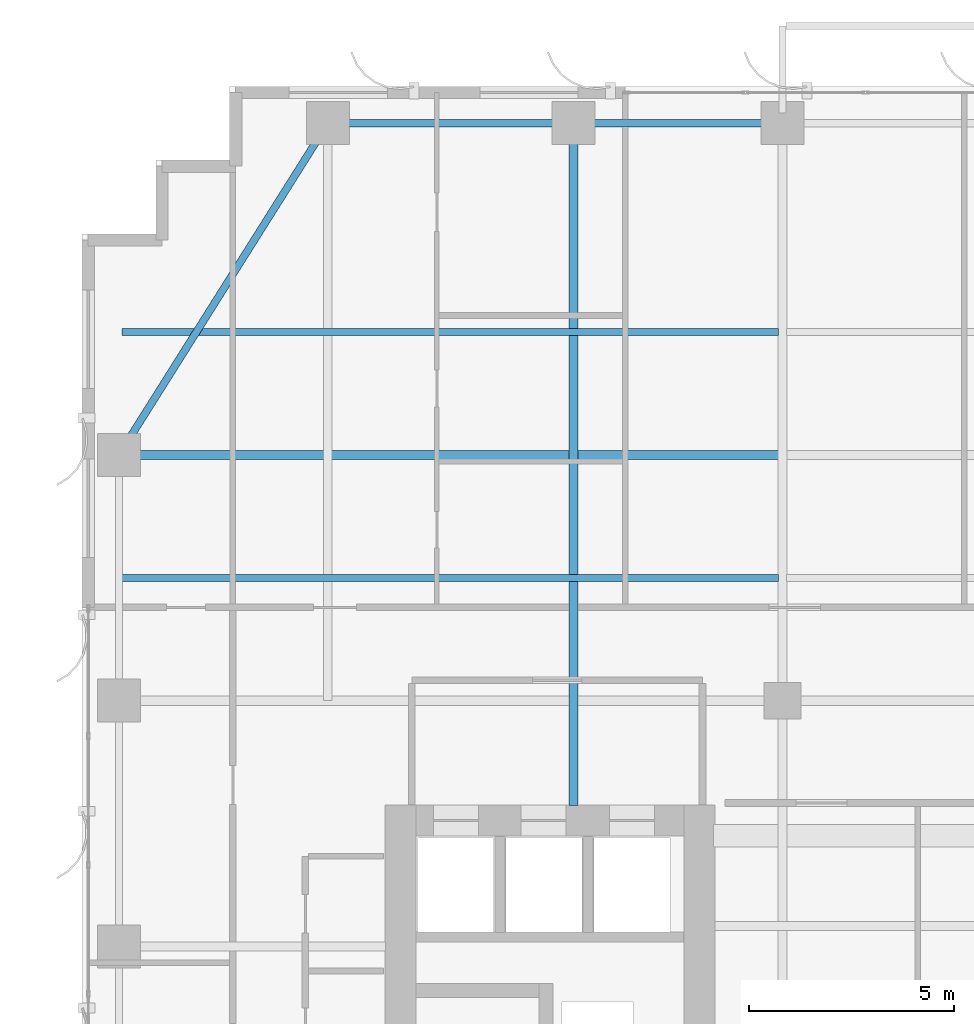
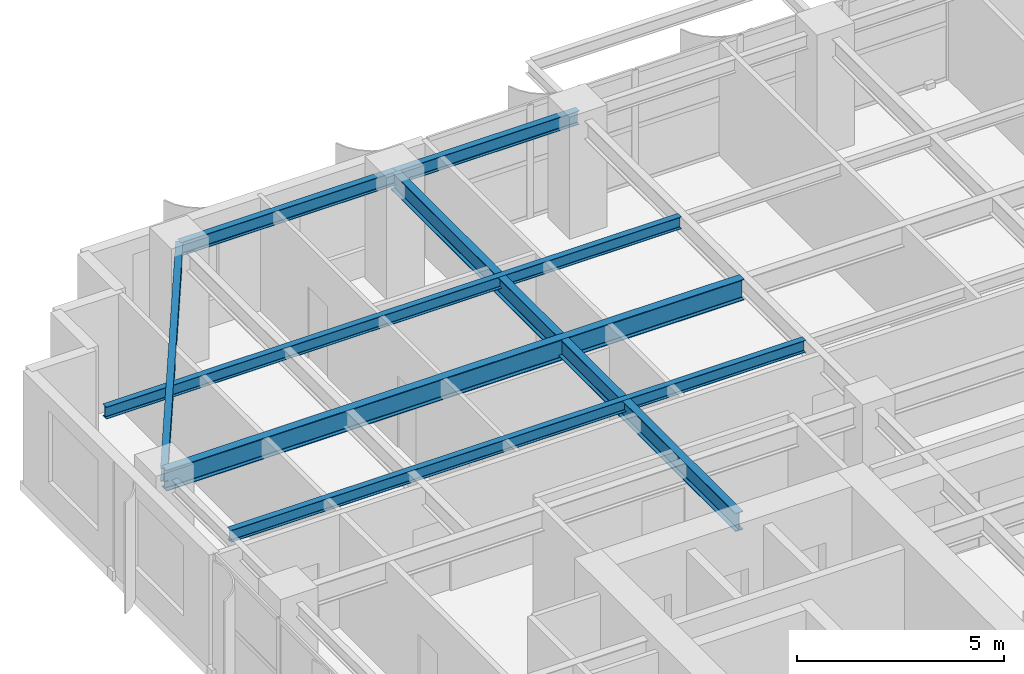
# One storey, part 12 of 27: 7 beams.
"""IFC4 building model written with IfcOpenShell, lengths in metres."""

from ifc_helpers import new_model, si_unit, direction, frame, origin, origin_2d, place, context, subcontext, project, spatial, i_section, extrude, source, transform, mapped, material, material_profile, profile_set, type_object, element, save


model = new_model("IFC4")

# Units and contexts
model_context = context("Model", 3, precision=1e-05, world=origin(), true_north=direction((0.0, 1.0)))
body_context = subcontext(model_context, "Body", "Model", "MODEL_VIEW")
ifc_project = project(units=[si_unit("LENGTHUNIT", "METRE"), si_unit("AREAUNIT", "SQUARE_METRE"), si_unit("VOLUMEUNIT", "CUBIC_METRE"), si_unit("PLANEANGLEUNIT", "RADIAN"), si_unit("MASSUNIT", "GRAM", prefix="KILO")], contexts=[model_context])

# Site, building, storey
site_placement = place(None, origin())
site = spatial("IfcSite", under=ifc_project, at=site_placement, CompositionType="ELEMENT")
building_placement = place(site_placement, origin())
building = spatial("IfcBuilding", under=site, at=building_placement, Name="Khoralis Quay Care Tower", CompositionType="ELEMENT")
storey_placement = place(building_placement, frame((0.0, 0.0, 105.300048828125)))
storey = spatial("IfcBuildingStorey", under=building, at=storey_placement, Name="L27", CompositionType="ELEMENT", Elevation=105.300048828125)

# Beams
ifc_material = material(Name="Steel S355", Category="steel")
ifc_material_profile_1 = material_profile(ifc_material, i_section(OverallWidth=0.179931640625, OverallDepth=0.39990234375, WebThickness=0.008544921875, FlangeThickness=0.013427734375, FilletRadius=0.02099609375, at=origin_2d()), Name="Steel S355")
ifc_profile_set_1 = profile_set([ifc_material_profile_1], Name="Steel S355")
beam_type_1 = type_object("IfcBeamType", Name="BM-IPE400", PredefinedType="SPANDREL", material=ifc_profile_set_1)
shared_shape_1 = source(origin(), body_context, "Body", "SweptSolid", [
    extrude(i_section(OverallWidth=0.179931640625, OverallDepth=0.39990234375, WebThickness=0.008544921875, FlangeThickness=0.013427734375, FilletRadius=0.02099609375, at=origin_2d()), origin(), (0.0, 0.0, 1.0), 6.0),
])
beam_1_placement = place(storey_placement, frame((6.0, 44.10009765625, 3.139892578125), z_axis=(1.0, 0.0, 0.0), x_axis=(0.0, 1.0, 0.0)))
element("IfcBeam", 1, at=beam_1_placement, inside=storey, type_object=beam_type_1, Name="BM-TSP-L27-06", PredefinedType="SPANDREL", context=body_context, shape_type="MappedRepresentation", body=[
    mapped(shared_shape_1, transform((0.0, 0.0, 0.0), scale=1.0)),
])
shared_shape_2 = source(origin(), body_context, "Body", "SweptSolid", [
    extrude(i_section(OverallWidth=0.179931640625, OverallDepth=0.39990234375, WebThickness=0.008544921875, FlangeThickness=0.013427734375, FilletRadius=0.02099609375, at=origin_2d()), origin(), (0.0, 0.0, 1.0), 5.10009765625),
])
beam_2_placement = place(storey_placement, frame((12.0, 44.10009765625, 3.139892578125), z_axis=(1.0, 0.0, 0.0), x_axis=(0.0, 1.0, 0.0)))
element("IfcBeam", 2, at=beam_2_placement, inside=storey, type_object=beam_type_1, Name="BM-TSP-L27-07", PredefinedType="SPANDREL", context=body_context, shape_type="MappedRepresentation", body=[
    mapped(shared_shape_2, transform((0.0, 0.0, 0.0), scale=1.0)),
])
shared_shape_3 = source(origin(), body_context, "Body", "SweptSolid", [
    extrude(i_section(OverallWidth=0.179931640625, OverallDepth=0.39990234375, WebThickness=0.008544921875, FlangeThickness=0.013427734375, FilletRadius=0.02099609375, at=origin_2d()), origin(), (0.0, 0.0, 1.0), 9.572021484375),
])
beam_3_placement = place(storey_placement, frame((6.0, 44.10009765625, 3.139892578125), z_axis=(-0.532815975602, -0.846231136359, 0.0), x_axis=(0.846231136359, -0.532815975602, 0.0)))
element("IfcBeam", 3, at=beam_3_placement, inside=storey, type_object=beam_type_1, Name="BM-TCR-L27-23", PredefinedType="SPANDREL", context=body_context, shape_type="MappedRepresentation", body=[
    mapped(shared_shape_3, transform((0.0, 0.0, 0.0), scale=1.0)),
])
ifc_material_profile_2 = material_profile(ifc_material, i_section(OverallWidth=0.22998046875, OverallDepth=0.616943359375, WebThickness=0.01318359375, FlangeThickness=0.022216796875, FilletRadius=0.01806640625, at=origin_2d()), Name="Steel S355")
ifc_profile_set_2 = profile_set([ifc_material_profile_2], Name="Steel S355")
beam_type_2 = type_object("IfcBeamType", Name="BM-W610X140", PredefinedType="BEAM", material=ifc_profile_set_2)
shared_shape_4 = source(origin(), body_context, "Body", "SweptSolid", [
    extrude(i_section(OverallWidth=0.22998046875, OverallDepth=0.616943359375, WebThickness=0.01318359375, FlangeThickness=0.022216796875, FilletRadius=0.01806640625, at=origin_2d()), origin(), (0.0, 0.0, 1.0), 16.106201171875),
])
beam_4_placement = place(storey_placement, frame((0.89990234375, 36.0, 3.031494140625), z_axis=(1.0, 0.0, 0.0), x_axis=(0.0, 1.0, 0.0)))
element("IfcBeam", 4, at=beam_4_placement, inside=storey, type_object=beam_type_2, Name="BM-TGXW-L27-360", PredefinedType="BEAM", context=body_context, shape_type="MappedRepresentation", body=[
    mapped(shared_shape_4, transform((0.0, 0.0, 0.0), scale=1.0)),
])
ifc_material_profile_3 = material_profile(ifc_material, i_section(OverallWidth=0.2119140625, OverallDepth=0.5439453125, WebThickness=0.01318359375, FlangeThickness=0.021240234375, FilletRadius=0.01611328125, at=origin_2d()), Name="Steel S355")
ifc_profile_set_3 = profile_set([ifc_material_profile_3], Name="Steel S355")
beam_type_3 = type_object("IfcBeamType", Name="BM-W530X123", PredefinedType="BEAM", material=ifc_profile_set_3)
shared_shape_5 = source(origin(), body_context, "Body", "SweptSolid", [
    extrude(i_section(OverallWidth=0.2119140625, OverallDepth=0.5439453125, WebThickness=0.01318359375, FlangeThickness=0.021240234375, FilletRadius=0.01611328125, at=origin_2d()), origin(), (0.0, 0.0, 1.0), 16.652099609375),
])
beam_5_placement = place(storey_placement, frame((12.0, 27.447998046875, 3.06787109375), z_axis=(0.0, 1.0, 0.0), x_axis=(-1.0, 0.0, 0.0)))
element("IfcBeam", 5, at=beam_5_placement, inside=storey, type_object=beam_type_3, Name="BM-TGYN-L27-120", PredefinedType="BEAM", context=body_context, shape_type="MappedRepresentation", body=[
    mapped(shared_shape_5, transform((0.0, 0.0, 0.0), scale=1.0)),
])
ifc_material_profile_4 = material_profile(ifc_material, i_section(OverallWidth=0.1708984375, OverallDepth=0.35498046875, WebThickness=0.007080078125, FlangeThickness=0.01171875, FilletRadius=0.012939453125, at=origin_2d()), Name="Steel S355")
ifc_profile_set_4 = profile_set([ifc_material_profile_4], Name="Steel S355")
beam_type_4 = type_object("IfcBeamType", Name="BM-W360X51", PredefinedType="JOIST", material=ifc_profile_set_4)
shared_shape_6 = source(origin(), body_context, "Body", "SweptSolid", [
    extrude(i_section(OverallWidth=0.1708984375, OverallDepth=0.35498046875, WebThickness=0.007080078125, FlangeThickness=0.01171875, FilletRadius=0.012939453125, at=origin_2d()), origin(), (0.0, 0.0, 1.0), 16.030029296875),
])
for number, where, z_axis, x_axis, name in (
    (6, (0.97607421875, 33.0, 3.162353515625), (1.0, 0.0, 0.0), (0.0, 1.0, 0.0), "BM-TJS-L27-28"),
    (7, (0.97607421875, 39.0, 3.162353515625), (1.0, 0.0, 0.0), (0.0, 1.0, 0.0), "BM-TJS-L27-31"),
):
    element("IfcBeam", number, at=place(storey_placement, frame(where, z_axis=z_axis, x_axis=x_axis)), inside=storey, type_object=beam_type_4, Name=name, PredefinedType="JOIST", context=body_context, shape_type="MappedRepresentation", body=[
        mapped(shared_shape_6, transform((0.0, 0.0, 0.0), scale=1.0)),
    ])

save(model, "model.ifc")
